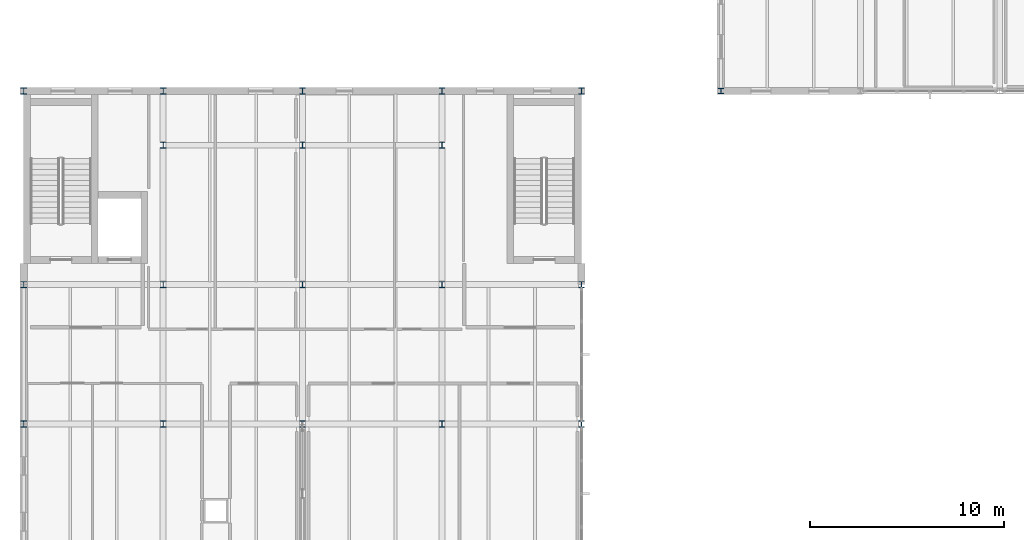
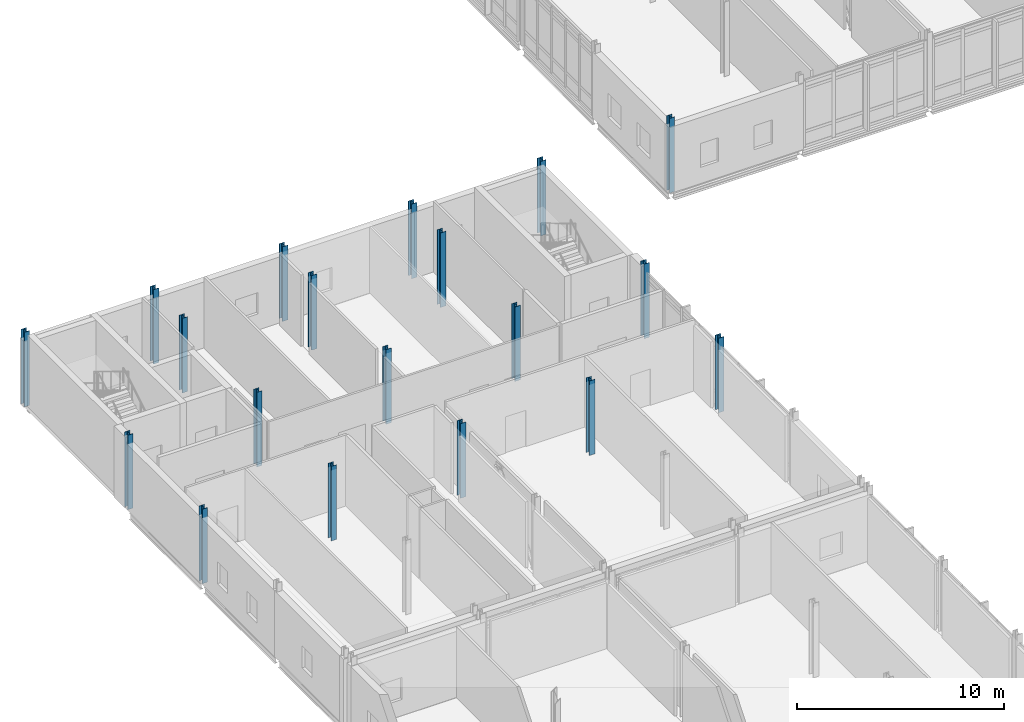
# One storey, part 8 of 72: 19 columns.
"""IFC4 building model written with IfcOpenShell, lengths in metres."""

from ifc_helpers import new_model, si_unit, direction, frame, origin, origin_2d, place, context, subcontext, project, spatial, i_section, extrude, material, material_profile, profile_set, type_object, element, save


model = new_model("IFC4")

# Units and contexts
model_context = context("Model", 3, precision=1e-05, world=origin(), true_north=direction((0.0, 1.0)))
body_context = subcontext(model_context, "Body", "Model", "MODEL_VIEW")
ifc_project = project(units=[si_unit("LENGTHUNIT", "METRE"), si_unit("AREAUNIT", "SQUARE_METRE"), si_unit("VOLUMEUNIT", "CUBIC_METRE"), si_unit("PLANEANGLEUNIT", "RADIAN"), si_unit("MASSUNIT", "GRAM", prefix="KILO")], contexts=[model_context])

# Site, building, storey
site_placement = place(None, origin())
site = spatial("IfcSite", under=ifc_project, at=site_placement, CompositionType="ELEMENT")
building_placement = place(site_placement, origin())
building = spatial("IfcBuilding", under=site, at=building_placement, Name="Zarrinpeak Specialist Clinic", CompositionType="ELEMENT")
storey_placement = place(building_placement, frame((0.0, 0.0, 9.60009765625)))
storey = spatial("IfcBuildingStorey", under=building, at=storey_placement, Name="L02", CompositionType="ELEMENT", Elevation=9.60009765625)

# Columns
ifc_material = material(Name="Steel S355", Category="steel")
ifc_material_profile_1 = material_profile(ifc_material, i_section(OverallWidth=0.280029296875, OverallDepth=0.280029296875, WebThickness=0.010498046875, FlangeThickness=0.01806640625, FilletRadius=0.02392578125, at=origin_2d()), Name="HEB 280")
ifc_profile_set_1 = profile_set([ifc_material_profile_1], Name="Steel S355")
column_type_1 = type_object("IfcColumnType", Name="COL-HEB280", PredefinedType="COLUMN", material=ifc_profile_set_1)
column_placement = place(storey_placement, frame((36.0, 82.0, 0.0), z_axis=(0.0, 0.0, 1.0), x_axis=(1.0, 0.0, 0.0)))
element("IfcColumn", 1, at=column_placement, inside=storey, type_object=column_type_1, Name="L02 Structural Column COL-L02-074", PredefinedType="COLUMN", context=body_context, shape_type="SweptSolid", body=[
    extrude(i_section(OverallWidth=0.280029296875, OverallDepth=0.280029296875, WebThickness=0.010498046875, FlangeThickness=0.01806640625, FilletRadius=0.02392578125, at=origin_2d()), origin(), (0.0, 0.0, 1.0), 4.39990234375),
])
ifc_material_profile_2 = material_profile(ifc_material, i_section(OverallWidth=0.300048828125, OverallDepth=0.320068359375, WebThickness=0.011474609375, FlangeThickness=0.0205078125, FilletRadius=0.027099609375, at=origin_2d()), Name="HEB 320")
ifc_profile_set_2 = profile_set([ifc_material_profile_2], Name="Steel S355")
column_type_2 = type_object("IfcColumnType", Name="COL-HEB320", PredefinedType="COLUMN", material=ifc_profile_set_2)
for number, where, z_axis, x_axis, name in (
    (2, (0.0, 64.800048828125, 0.0), (0.0, 0.0, 1.0), (1.0, 0.0, 0.0), "L02 Structural Column COL-L02-009"),
    (3, (0.0, 72.0, 0.0), (0.0, 0.0, 1.0), (1.0, 0.0, 0.0), "L02 Structural Column COL-L02-010"),
    (4, (0.0, 82.0, 0.0), (0.0, 0.0, 1.0), (1.0, 0.0, 0.0), "L02 Structural Column COL-L02-011"),
    (5, (7.199951171875, 64.800048828125, 0.0), (0.0, 0.0, 1.0), (1.0, 0.0, 0.0), "L02 Structural Column COL-L02-022"),
    (6, (7.199951171875, 72.0, 0.0), (0.0, 0.0, 1.0), (1.0, 0.0, 0.0), "L02 Structural Column COL-L02-023"),
    (7, (7.199951171875, 79.199951171875, 0.0), (0.0, 0.0, 1.0), (1.0, 0.0, 0.0), "L02 Structural Column COL-L02-024"),
    (8, (7.199951171875, 82.0, 0.0), (0.0, 0.0, 1.0), (1.0, 0.0, 0.0), "L02 Structural Column COL-L02-025"),
    (9, (14.39990234375, 64.800048828125, 0.0), (0.0, 0.0, 1.0), (1.0, 0.0, 0.0), "L02 Structural Column COL-L02-036"),
    (10, (14.39990234375, 72.0, 0.0), (0.0, 0.0, 1.0), (1.0, 0.0, 0.0), "L02 Structural Column COL-L02-037"),
    (11, (14.39990234375, 79.199951171875, 0.0), (0.0, 0.0, 1.0), (1.0, 0.0, 0.0), "L02 Structural Column COL-L02-038"),
    (12, (14.39990234375, 82.0, 0.0), (0.0, 0.0, 1.0), (1.0, 0.0, 0.0), "L02 Structural Column COL-L02-039"),
    (13, (21.60009765625, 64.800048828125, 0.0), (0.0, 0.0, 1.0), (1.0, 0.0, 0.0), "L02 Structural Column COL-L02-050"),
    (14, (21.60009765625, 72.0, 0.0), (0.0, 0.0, 1.0), (1.0, 0.0, 0.0), "L02 Structural Column COL-L02-051"),
    (15, (21.60009765625, 79.199951171875, 0.0), (0.0, 0.0, 1.0), (1.0, 0.0, 0.0), "L02 Structural Column COL-L02-052"),
    (16, (21.60009765625, 82.0, 0.0), (0.0, 0.0, 1.0), (1.0, 0.0, 0.0), "L02 Structural Column COL-L02-053"),
    (17, (28.800048828125, 64.800048828125, 0.0), (0.0, 0.0, 1.0), (1.0, 0.0, 0.0), "L02 Structural Column COL-L02-062"),
    (18, (28.800048828125, 72.0, 0.0), (0.0, 0.0, 1.0), (1.0, 0.0, 0.0), "L02 Structural Column COL-L02-063"),
    (19, (28.800048828125, 82.0, 0.0), (0.0, 0.0, 1.0), (1.0, 0.0, 0.0), "L02 Structural Column COL-L02-064"),
):
    element("IfcColumn", number, at=place(storey_placement, frame(where, z_axis=z_axis, x_axis=x_axis)), inside=storey, type_object=column_type_2, Name=name, PredefinedType="COLUMN", context=body_context, shape_type="SweptSolid", body=[
        extrude(i_section(OverallWidth=0.300048828125, OverallDepth=0.320068359375, WebThickness=0.011474609375, FlangeThickness=0.0205078125, FilletRadius=0.027099609375, at=origin_2d()), origin(), (0.0, 0.0, 1.0), 4.39990234375),
    ])

save(model, "model.ifc")
